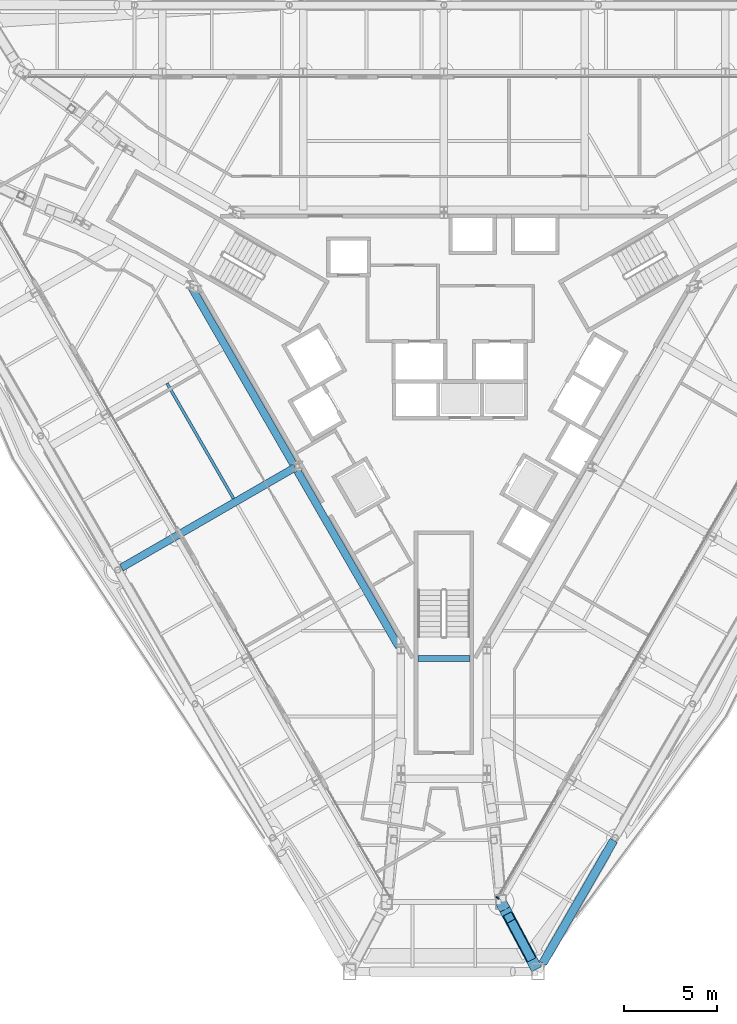
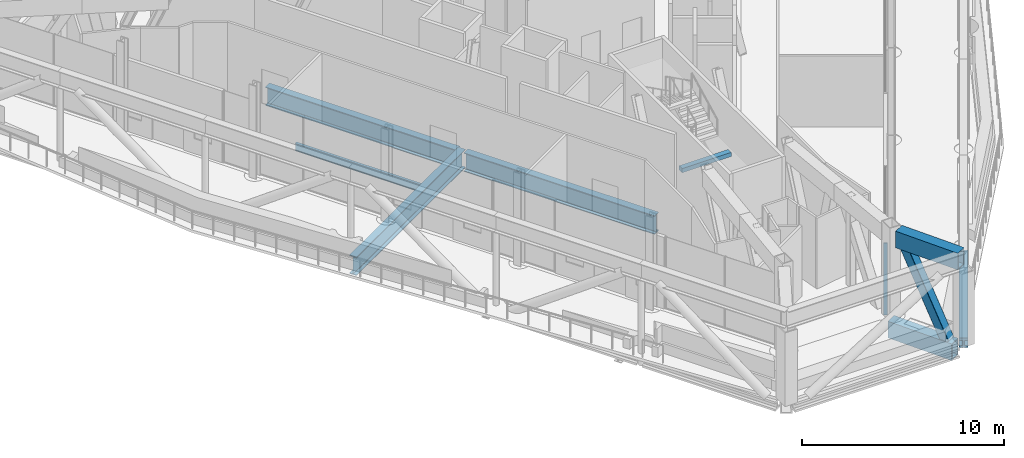
# One storey, part 7 of 25: 8 beams, 2 members, 1 element without a shape of its own.
"""IFC4 building model written with IfcOpenShell, lengths in metres."""

from ifc_helpers import new_model, si_unit, direction, frame, origin, origin_2d, place, context, subcontext, project, spatial, rectangle, hollow_rectangle, i_section, extrude, material, material_profile, profile_set, type_object, element, aggregate, save


model = new_model("IFC4")

# Units and contexts
model_context = context("Model", 3, precision=1e-05, world=origin(), true_north=direction((0.0, 1.0)))
body_context = subcontext(model_context, "Body", "Model", "MODEL_VIEW")
ifc_project = project(units=[si_unit("LENGTHUNIT", "METRE"), si_unit("AREAUNIT", "SQUARE_METRE"), si_unit("VOLUMEUNIT", "CUBIC_METRE"), si_unit("PLANEANGLEUNIT", "RADIAN"), si_unit("MASSUNIT", "GRAM", prefix="KILO")], contexts=[model_context])

# Site, building, storey
site_placement = place(None, origin())
site = spatial("IfcSite", under=ifc_project, at=site_placement, CompositionType="ELEMENT")
building_placement = place(site_placement, origin())
building = spatial("IfcBuilding", under=site, at=building_placement, Name="Verrane Prism Tower", CompositionType="ELEMENT")
storey_placement = place(building_placement, frame((0.0, 0.0, 143.199951171875)))
storey = spatial("IfcBuildingStorey", under=building, at=storey_placement, Name="L35", CompositionType="ELEMENT", Elevation=143.199951171875)

# Beams
ifc_material_1 = material(Name="Steel A992", Category="steel")
ifc_material_profile_1 = material_profile(ifc_material_1, i_section(OverallWidth=0.45458984375, OverallDepth=0.56884765625, WebThickness=0.077880859375, FlangeThickness=0.124755859375, FilletRadius=0.01513671875, at=origin_2d()), Name="W14x730")
ifc_profile_set_1 = profile_set([ifc_material_profile_1], Name="Steel A992")
beam_type_1 = type_object("IfcBeamType", Name="Belt truss chord W14x730", PredefinedType="BEAM", material=ifc_profile_set_1)
beam_1_placement = place(storey_placement, frame((5.3095703125, -31.18994140625, -0.445556640625), z_axis=(0.49951588352, 0.866304728205, 0.0), x_axis=(-0.866304728205, 0.49951588352, 0.0)))
element("IfcBeam", 1, at=beam_1_placement, inside=storey, type_object=beam_type_1, Name="Belt truss chord L35", PredefinedType="BEAM", context=body_context, shape_type="SweptSolid", body=[
    extrude(i_section(OverallWidth=0.45458984375, OverallDepth=0.56884765625, WebThickness=0.077880859375, FlangeThickness=0.124755859375, FilletRadius=0.01513671875, at=origin_2d()), origin(), (0.0, 0.0, 1.0), 7.60595703125),
])
ifc_material_2 = material(Name="Steel A992", Category="steel")
ifc_material_profile_2 = material_profile(ifc_material_2, i_section(OverallWidth=0.15234375, OverallDepth=0.449462890625, WebThickness=0.007568359375, FlangeThickness=0.0107421875, FilletRadius=0.01025390625, at=origin_2d()), Name="W18x35")
ifc_profile_set_2 = profile_set([ifc_material_profile_2], Name="Steel A992")
beam_type_2 = type_object("IfcBeamType", Name="Floor beam W18x35", PredefinedType="BEAM", material=ifc_profile_set_2)
beam_2_placement = place(storey_placement, frame((-11.277587890625, -6.27587890625, -0.384765625), z_axis=(-0.500002534683, 0.866023940379, 0.0), x_axis=(-0.866023940379, -0.500002534683, 0.0)))
element("IfcBeam", 2, at=beam_2_placement, inside=storey, type_object=beam_type_2, Name="Floor beam L35", PredefinedType="BEAM", context=body_context, shape_type="SweptSolid", body=[
    extrude(i_section(OverallWidth=0.15234375, OverallDepth=0.449462890625, WebThickness=0.007568359375, FlangeThickness=0.0107421875, FilletRadius=0.01025390625, at=origin_2d()), origin(), (0.0, 0.0, 1.0), 7.14306640625),
])

# Curtain wall, member
ifc_material_3 = material(Name="Aluminium framed insulated glazing", Category="aluminium")
curtain_wall_type = type_object("IfcCurtainWallType", Name="Curtain wall CW-A 8400 module", PredefinedType="NOTDEFINED", material=ifc_material_3)
curtain_wall_placement = place(storey_placement, origin())
curtain_wall = element("IfcCurtainWall", 3, at=curtain_wall_placement, inside=storey, type_object=curtain_wall_type, Name="Refuge lounge glazing south-east face L35 1", PredefinedType="NOTDEFINED")
ifc_material_4 = material(Name="Aluminium alloy 6063-T6", Category="aluminium")
ifc_material_profile_3 = material_profile(ifc_material_4, rectangle(XDim=0.199951171875, YDim=0.070068359375, at=origin_2d()), Name="Mullion 70x200 aluminium")
ifc_profile_set_3 = profile_set([ifc_material_profile_3], Name="Aluminium alloy 6063-T6")
member_type_1 = type_object("IfcMemberType", Name="Mullion 70x200 aluminium", PredefinedType="MULLION", material=ifc_profile_set_3)
member_1_placement = place(storey_placement, frame((2.87548828125, -27.681640625, 0.0), z_axis=(0.0, 0.0, 1.0), x_axis=(-0.866024286859, 0.500001934567, 0.0)))
member_1 = element("IfcMember", 4, at=member_1_placement, type_object=member_type_1, Name="CW35.6.1 mullion 1", PredefinedType="MULLION", context=body_context, shape_type="SweptSolid", body=[
    extrude(rectangle(XDim=0.199951171875, YDim=0.070068359375, at=origin_2d()), origin(), (0.0, 0.0, 1.0), 4.322509765625),
])
aggregate(curtain_wall, [member_1])

# Beams
ifc_material_5 = material(Name="Steel A572 Grade 50", Category="steel")
ifc_material_profile_4 = material_profile(ifc_material_5, hollow_rectangle(XDim=0.60009765625, YDim=1.0, WallThickness=0.06005859375, at=origin_2d()), Name="BOX 1000x600x60")
ifc_profile_set_4 = profile_set([ifc_material_profile_4], Name="Steel A572 Grade 50")
beam_type_3 = type_object("IfcBeamType", Name="Outrigger truss chord BOX 1000x600x60", PredefinedType="BEAM", material=ifc_profile_set_4)
beam_3_placement = place(storey_placement, frame((4.809814453125, -31.18994140625, -0.659912109375), z_axis=(-0.470673448035, 0.882307489096, 0.0), x_axis=(-0.882307489096, -0.470673448035, 0.0)))
element("IfcBeam", 5, at=beam_3_placement, inside=storey, type_object=beam_type_3, Name="Outrigger truss chord L35", PredefinedType="BEAM", context=body_context, shape_type="SweptSolid", body=[
    extrude(hollow_rectangle(XDim=0.60009765625, YDim=1.0, WallThickness=0.06005859375, at=origin_2d()), origin(), (0.0, 0.0, 1.0), 3.717529296875),
])
beam_4_placement = place(storey_placement, frame((4.9794921875, -31.5078125, 4.93994140625), z_axis=(-0.470714094128, 0.882285804935, 0.0), x_axis=(-0.882285804935, -0.470714094128, 0.0)))
element("IfcBeam", 6, at=beam_4_placement, inside=storey, type_object=beam_type_3, Name="Outrigger truss chord L35", PredefinedType="BEAM", context=body_context, shape_type="SweptSolid", body=[
    extrude(hollow_rectangle(XDim=0.60009765625, YDim=1.0, WallThickness=0.06005859375, at=origin_2d()), origin(), (0.0, 0.0, 1.0), 3.62451171875),
])

# Member
ifc_material_6 = material(Name="Steel A500 Grade C", Category="steel")
ifc_material_profile_5 = material_profile(ifc_material_6, hollow_rectangle(XDim=0.508056640625, YDim=0.508056640625, WallThickness=0.01904296875, InnerFilletRadius=0.009521484375, OuterFilletRadius=0.028564453125, at=origin_2d()), Name="HSS20x20x3/4")
ifc_profile_set_5 = profile_set([ifc_material_profile_5], Name="Steel A500 Grade C")
member_type_2 = type_object("IfcMemberType", Name="Outrigger truss diagonal HSS20x20x3/4", PredefinedType="BRACE", material=ifc_profile_set_5)
member_2_placement = place(storey_placement, frame((4.6064453125, -30.80859375, -0.219970703125), z_axis=(-0.20927781251, 0.39228586197, 0.895720157018), x_axis=(-0.882298128759, -0.470690994166, 0.0)))
element("IfcMember", 7, at=member_2_placement, inside=storey, type_object=member_type_2, Name="Outrigger truss diagonal L35", PredefinedType="BRACE", context=body_context, shape_type="SweptSolid", body=[
    extrude(hollow_rectangle(XDim=0.508056640625, YDim=0.508056640625, WallThickness=0.01904296875, InnerFilletRadius=0.009521484375, OuterFilletRadius=0.028564453125, at=origin_2d()), origin(), (0.0, 0.0, 1.0), 5.26953125),
])

# Beams
ifc_material_7 = material(Name="Concrete C40/50", Category="concrete")
ifc_material_profile_6 = material_profile(ifc_material_7, rectangle(XDim=0.300048828125, YDim=0.25, at=origin_2d()), Name="RC 300x250")
ifc_profile_set_6 = profile_set([ifc_material_profile_6], Name="Concrete C40/50")
beam_type_4 = type_object("IfcBeamType", Name="Stair landing trimmer beam 300x250 concrete C40/50", PredefinedType="BEAM", material=ifc_profile_set_6)
beam_5_placement = place(storey_placement, frame((1.39990234375, -14.85009765625, 2.47509765625), z_axis=(-1.0, 0.0, 0.0), x_axis=(0.0, -1.0, 0.0)))
element("IfcBeam", 8, at=beam_5_placement, inside=storey, type_object=beam_type_4, Name="Stair 3 landing trimmer beam", PredefinedType="BEAM", context=body_context, shape_type="SweptSolid", body=[
    extrude(rectangle(XDim=0.300048828125, YDim=0.25, at=origin_2d()), origin(), (0.0, 0.0, 1.0), 2.7998046875),
])
ifc_material_8 = material(Name="Steel A992", Category="steel")
ifc_material_profile_7 = material_profile(ifc_material_8, i_section(OverallWidth=0.40380859375, OverallDepth=1.11767578125, WebThickness=0.026123046875, FlangeThickness=0.044921875, FilletRadius=0.02001953125, at=origin_2d()), Name="W44x335")
ifc_profile_set_7 = profile_set([ifc_material_profile_7], Name="Steel A992")
beam_type_5 = type_object("IfcBeamType", Name="Transfer girder W44x335", PredefinedType="BEAM", material=ifc_profile_set_7)
beam_6_placement = place(storey_placement, frame((-13.51513671875, 5.0205078125, -0.808837890625), z_axis=(0.4993706109, -0.866388476937, 0.0), x_axis=(0.866388476937, 0.4993706109, 0.0)))
element("IfcBeam", 9, at=beam_6_placement, inside=storey, type_object=beam_type_5, Name="Transfer girder L35", PredefinedType="BEAM", context=body_context, shape_type="SweptSolid", body=[
    extrude(i_section(OverallWidth=0.40380859375, OverallDepth=1.11767578125, WebThickness=0.026123046875, FlangeThickness=0.044921875, FilletRadius=0.02001953125, at=origin_2d()), origin(), (0.0, 0.0, 1.0), 10.8740234375),
])
beam_7_placement = place(storey_placement, frame((-7.85498046875, -4.79931640625, -0.808837890625), z_axis=(0.500034555306, -0.86600545235, 0.0), x_axis=(0.86600545235, 0.500034555306, 0.0)))
element("IfcBeam", 10, at=beam_7_placement, inside=storey, type_object=beam_type_5, Name="Transfer girder L35", PredefinedType="BEAM", context=body_context, shape_type="SweptSolid", body=[
    extrude(i_section(OverallWidth=0.40380859375, OverallDepth=1.11767578125, WebThickness=0.026123046875, FlangeThickness=0.044921875, FilletRadius=0.02001953125, at=origin_2d()), origin(), (0.0, 0.0, 1.0), 10.879150390625),
])
beam_8_placement = place(storey_placement, frame((-17.289306640625, -9.9794921875, -0.71875), z_axis=(0.866029920818, 0.499992176187, 0.0), x_axis=(-0.499992176187, 0.866029920818, 0.0)))
element("IfcBeam", 11, at=beam_8_placement, inside=storey, type_object=beam_type_5, Name="Transfer girder L35", PredefinedType="BEAM", context=body_context, shape_type="SweptSolid", body=[
    extrude(i_section(OverallWidth=0.40380859375, OverallDepth=1.11767578125, WebThickness=0.026123046875, FlangeThickness=0.044921875, FilletRadius=0.02001953125, at=origin_2d()), origin(), (0.0, 0.0, 1.0), 10.760498046875),
])

save(model, "model.ifc")
